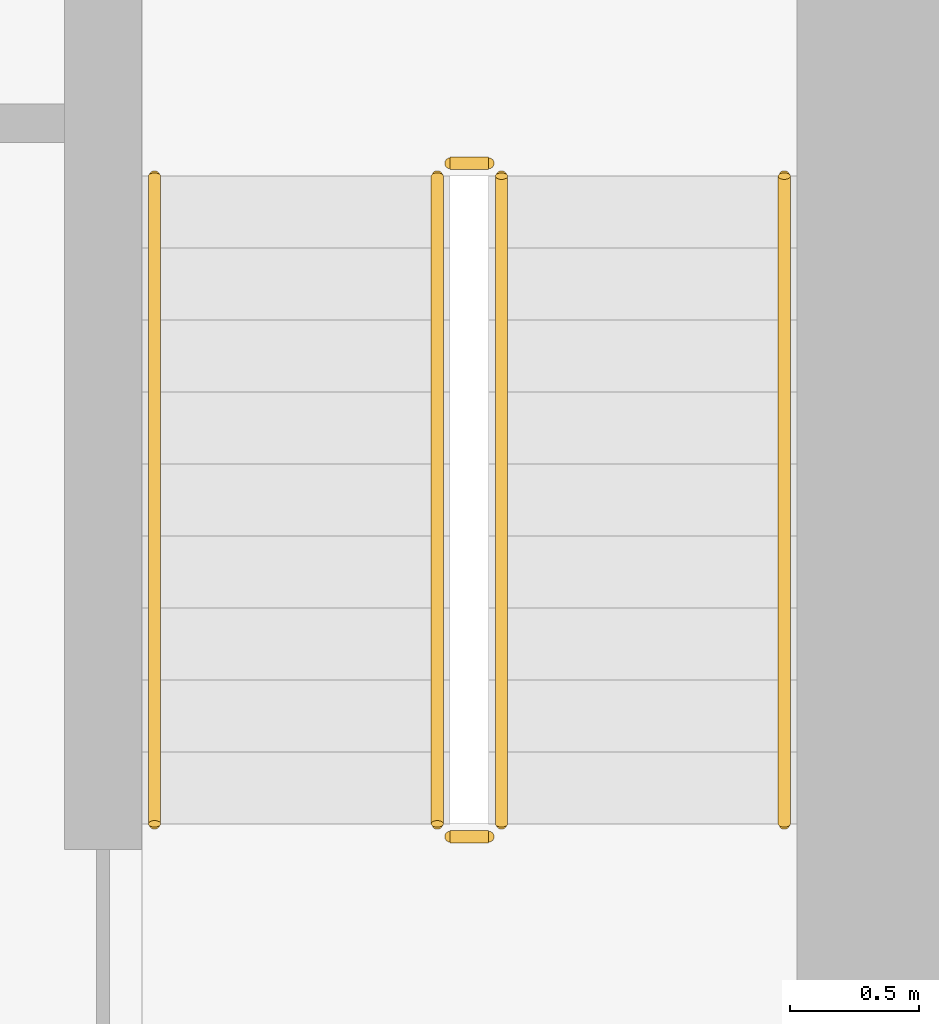
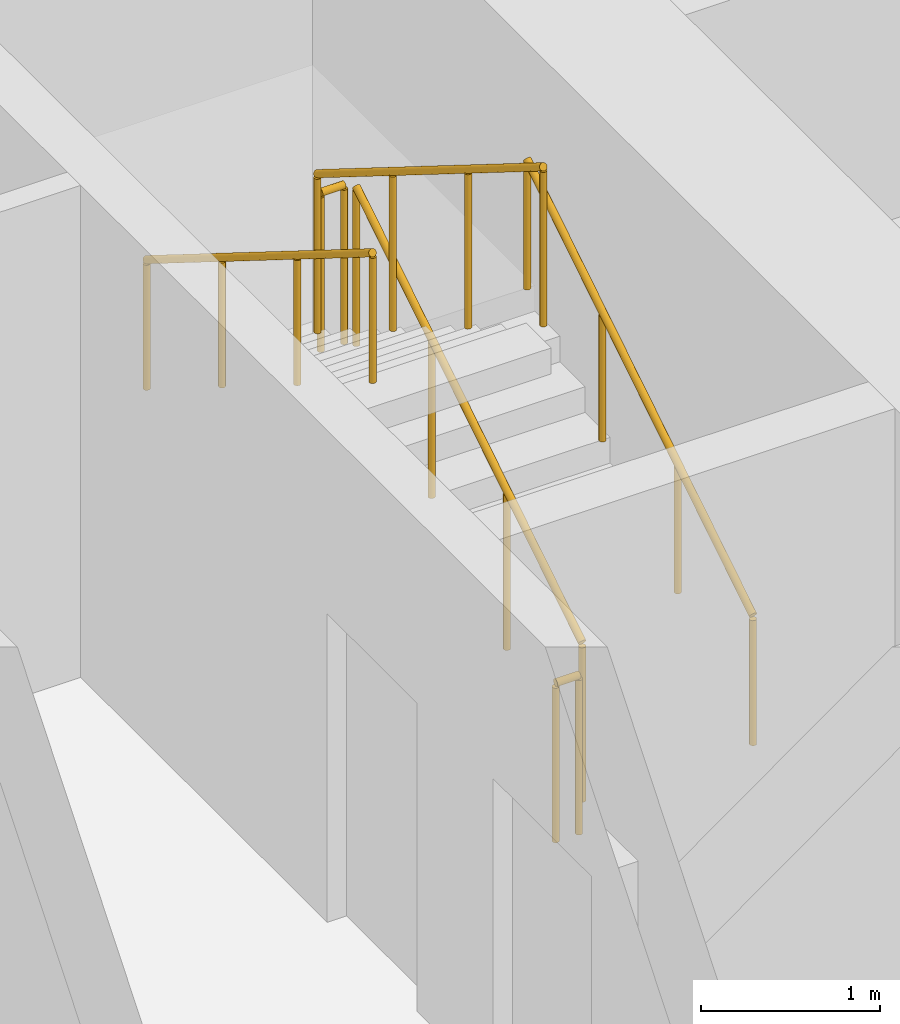
# One storey, part 9 of 9: 6 railings.
"""IFC4 building model written with IfcOpenShell, lengths in metres."""

from ifc_helpers import new_model, si_unit, direction, frame, origin, origin_2d, place, context, subcontext, project, spatial, circle, extrude, material, type_object, element, save


model = new_model("IFC4")

# Units and contexts
model_context = context("Model", 3, precision=1e-05, world=origin(), true_north=direction((0.0, 1.0)))
body_context = subcontext(model_context, "Body", "Model", "MODEL_VIEW")
ifc_project = project(units=[si_unit("LENGTHUNIT", "METRE"), si_unit("AREAUNIT", "SQUARE_METRE"), si_unit("VOLUMEUNIT", "CUBIC_METRE"), si_unit("PLANEANGLEUNIT", "RADIAN"), si_unit("MASSUNIT", "GRAM", prefix="KILO")], contexts=[model_context])

# Site, building, storey
site_placement = place(None, origin())
site = spatial("IfcSite", under=ifc_project, at=site_placement, CompositionType="ELEMENT")
building_placement = place(site_placement, origin())
building = spatial("IfcBuilding", under=site, at=building_placement, Name="Aloe Facet Convention Tower", CompositionType="ELEMENT")
storey_placement = place(building_placement, frame((0.0, 0.0, 92.300048828125)))
storey = spatial("IfcBuildingStorey", under=building, at=storey_placement, Name="L22", CompositionType="ELEMENT", Elevation=92.300048828125)

# Railings
ifc_material_1 = material(Name="Steel S355 balustrade", Category="steel")
railing_type_1 = type_object("IfcRailingType", Name="CR-RL-GUARD", PredefinedType="GUARDRAIL", material=ifc_material_1)
railing_1_placement = place(storey_placement, frame((89.25, 128.949951171875, 0.175048828125)))
element("IfcRailing", 1, at=railing_1_placement, inside=storey, type_object=railing_type_1, Name="L22 ST2 stair guard 1", PredefinedType="GUARDRAIL", context=body_context, shape_type="SweptSolid", body=[
    extrude(circle(Radius=0.02392578125, at=origin_2d()), frame((0.0, 0.0, 1.076171875), z_axis=(0.0, 0.848007534815, 0.529984170421), x_axis=(-1.0, 0.0, 0.0)), (0.0, 0.0, 1.0), 2.9716796875),
    extrude(circle(Radius=0.02099609375, at=origin_2d()), origin(), (0.0, 0.0, 1.0), 1.052001953125),
    extrude(circle(Radius=0.02099609375, at=origin_2d()), frame((0.0, 0.840087890625, 0.52490234375)), (0.0, 0.0, 1.0), 1.052001953125),
    extrude(circle(Radius=0.02099609375, at=origin_2d()), frame((0.0, 1.679931640625, 1.050048828125)), (0.0, 0.0, 1.0), 1.052001953125),
    extrude(circle(Radius=0.02099609375, at=origin_2d()), frame((0.0, 2.52001953125, 1.574951171875)), (0.0, 0.0, 1.0), 1.052001953125),
])
railing_2_placement = place(storey_placement, frame((89.199951171875, 131.52001953125, 1.75)))
element("IfcRailing", 2, at=railing_2_placement, inside=storey, type_object=railing_type_1, Name="L22 ST2 stair guard 2", PredefinedType="GUARDRAIL", context=body_context, shape_type="SweptSolid", body=[
    extrude(circle(Radius=0.02392578125, at=origin_2d()), frame((0.0, 0.0, 1.076171875), z_axis=(-1.0, 0.0, 0.0), x_axis=(0.0, -1.0, 0.0)), (0.0, 0.0, 1.0), 0.14990234375),
    extrude(circle(Radius=0.02099609375, at=origin_2d()), origin(), (0.0, 0.0, 1.0), 1.052001953125),
    extrude(circle(Radius=0.02099609375, at=origin_2d()), frame((-0.14990234375, 0.0, 0.0)), (0.0, 0.0, 1.0), 1.052001953125),
])
railing_3_placement = place(storey_placement, frame((89.0, 131.469970703125, 1.925048828125)))
element("IfcRailing", 3, at=railing_3_placement, inside=storey, type_object=railing_type_1, Name="L22 ST2 stair guard 3", PredefinedType="GUARDRAIL", context=body_context, shape_type="SweptSolid", body=[
    extrude(circle(Radius=0.02392578125, at=origin_2d()), frame((0.0, 0.0, 1.076171875), z_axis=(0.0, -0.848007534815, 0.529984170421), x_axis=(1.0, 0.0, 0.0)), (0.0, 0.0, 1.0), 2.9716796875),
    extrude(circle(Radius=0.02099609375, at=origin_2d()), origin(), (0.0, 0.0, 1.0), 1.052001953125),
    extrude(circle(Radius=0.02099609375, at=origin_2d()), frame((0.0, -0.840087890625, 0.52490234375)), (0.0, 0.0, 1.0), 1.052001953125),
    extrude(circle(Radius=0.02099609375, at=origin_2d()), frame((0.0, -1.679931640625, 1.050048828125)), (0.0, 0.0, 1.0), 1.052001953125),
    extrude(circle(Radius=0.02099609375, at=origin_2d()), frame((0.0, -2.52001953125, 1.574951171875)), (0.0, 0.0, 1.0), 1.052001953125),
])
railing_4_placement = place(storey_placement, frame((89.199951171875, 128.89990234375, 0.0)))
element("IfcRailing", 4, at=railing_4_placement, inside=storey, type_object=railing_type_1, Name="L22 ST2 stair guard 4", PredefinedType="GUARDRAIL", context=body_context, shape_type="SweptSolid", body=[
    extrude(circle(Radius=0.02392578125, at=origin_2d()), frame((0.0, 0.0, 1.076171875), z_axis=(-1.0, 0.0, 0.0), x_axis=(0.0, -1.0, 0.0)), (0.0, 0.0, 1.0), 0.14990234375),
    extrude(circle(Radius=0.02099609375, at=origin_2d()), origin(), (0.0, 0.0, 1.0), 1.052001953125),
    extrude(circle(Radius=0.02099609375, at=origin_2d()), frame((-0.14990234375, 0.0, 0.0)), (0.0, 0.0, 1.0), 1.052001953125),
])
ifc_material_2 = material(Name="Steel S355 handrail", Category="steel")
railing_type_2 = type_object("IfcRailingType", Name="CR-RL-HAND", PredefinedType="HANDRAIL", material=ifc_material_2)
railing_5_placement = place(storey_placement, frame((90.35009765625, 128.949951171875, 0.175048828125)))
element("IfcRailing", 5, at=railing_5_placement, inside=storey, type_object=railing_type_2, Name="L22 ST2 stair handrail 1", PredefinedType="HANDRAIL", context=body_context, shape_type="SweptSolid", body=[
    extrude(circle(Radius=0.02392578125, at=origin_2d()), frame((0.0, 0.0, 0.8759765625), z_axis=(0.0, 0.848007534815, 0.529984170421), x_axis=(-1.0, 0.0, 0.0)), (0.0, 0.0, 1.0), 2.9716796875),
    extrude(circle(Radius=0.02099609375, at=origin_2d()), origin(), (0.0, 0.0, 1.0), 0.851806640625),
    extrude(circle(Radius=0.02099609375, at=origin_2d()), frame((0.0, 0.840087890625, 0.52490234375)), (0.0, 0.0, 1.0), 0.851806640625),
    extrude(circle(Radius=0.02099609375, at=origin_2d()), frame((0.0, 1.679931640625, 1.050048828125)), (0.0, 0.0, 1.0), 0.851806640625),
    extrude(circle(Radius=0.02099609375, at=origin_2d()), frame((0.0, 2.52001953125, 1.574951171875)), (0.0, 0.0, 1.0), 0.851806640625),
])
railing_6_placement = place(storey_placement, frame((87.89990234375, 131.469970703125, 1.925048828125)))
element("IfcRailing", 6, at=railing_6_placement, inside=storey, type_object=railing_type_2, Name="L22 ST2 stair handrail 2", PredefinedType="HANDRAIL", context=body_context, shape_type="SweptSolid", body=[
    extrude(circle(Radius=0.02392578125, at=origin_2d()), frame((0.0, 0.0, 0.8759765625), z_axis=(0.0, -0.848007534815, 0.529984170421), x_axis=(1.0, 0.0, 0.0)), (0.0, 0.0, 1.0), 2.9716796875),
    extrude(circle(Radius=0.02099609375, at=origin_2d()), origin(), (0.0, 0.0, 1.0), 0.851806640625),
    extrude(circle(Radius=0.02099609375, at=origin_2d()), frame((0.0, -0.840087890625, 0.52490234375)), (0.0, 0.0, 1.0), 0.851806640625),
    extrude(circle(Radius=0.02099609375, at=origin_2d()), frame((0.0, -1.679931640625, 1.050048828125)), (0.0, 0.0, 1.0), 0.851806640625),
    extrude(circle(Radius=0.02099609375, at=origin_2d()), frame((0.0, -2.52001953125, 1.574951171875)), (0.0, 0.0, 1.0), 0.851806640625),
])

save(model, "model.ifc")
